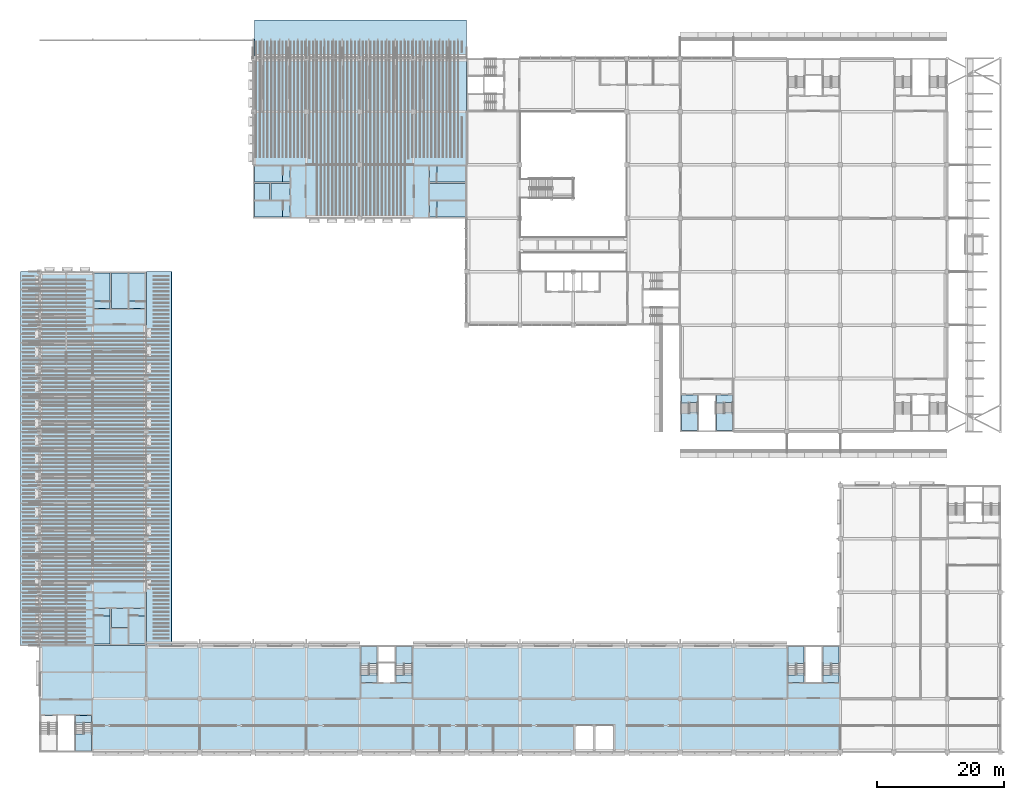
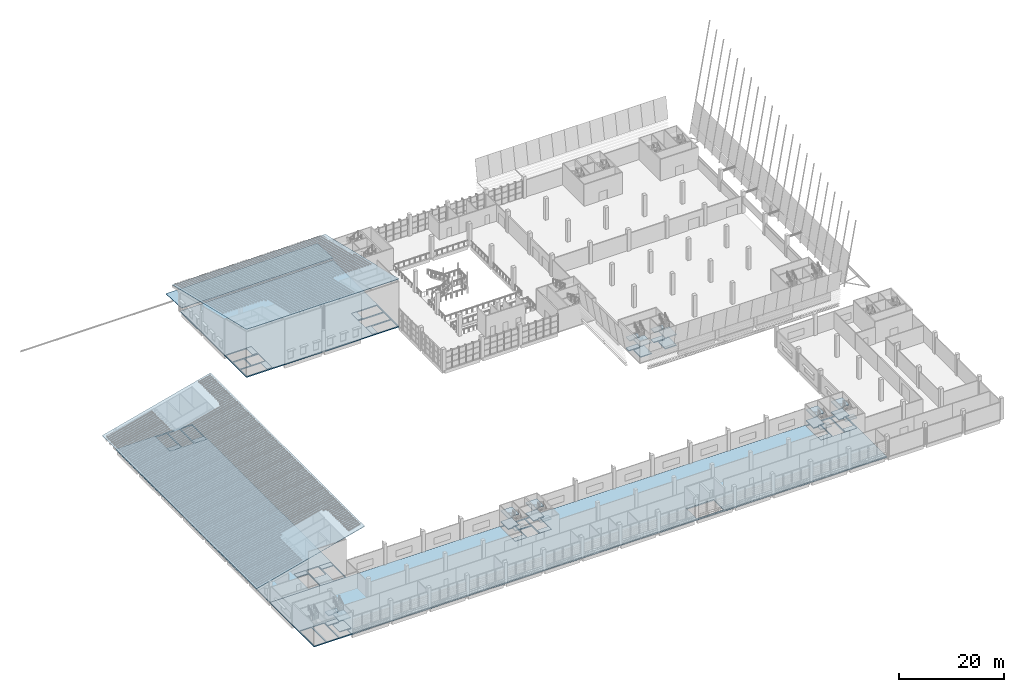
# One storey, part 12 of 82: 42 slabs, 7 elements without a shape of their own.
"""IFC4 building model written with IfcOpenShell, lengths in metres."""

from ifc_helpers import new_model, si_unit, direction, frame, origin, place, context, subcontext, project, spatial, polyline, outline, extrude, material, layer, layer_set, type_object, element, aggregate, save


model = new_model("IFC4")

# Units and contexts
model_context = context("Model", 3, precision=1e-05, world=origin(), true_north=direction((0.0, 1.0)))
body_context = subcontext(model_context, "Body", "Model", "MODEL_VIEW")
ifc_project = project(units=[si_unit("LENGTHUNIT", "METRE"), si_unit("AREAUNIT", "SQUARE_METRE"), si_unit("VOLUMEUNIT", "CUBIC_METRE"), si_unit("PLANEANGLEUNIT", "RADIAN"), si_unit("MASSUNIT", "GRAM", prefix="KILO")], contexts=[model_context])

# Site, building, storey
site_placement = place(None, origin())
site = spatial("IfcSite", under=ifc_project, at=site_placement, CompositionType="ELEMENT")
building_placement = place(site_placement, origin())
building = spatial("IfcBuilding", under=site, at=building_placement, Name="Almond Square Museum", CompositionType="ELEMENT")
storey_placement = place(building_placement, frame((0.0, 0.0, 20.0)))
storey = spatial("IfcBuildingStorey", under=building, at=storey_placement, Name="L03", CompositionType="ELEMENT", Elevation=20.0)

# Stair, slabs
ifc_material_1 = material(Name="Concrete C40/50", Category="concrete")
stair_type = type_object("IfcStairType", Name="Exit stair 28 risers of 179 mm", PredefinedType="HALF_TURN_STAIR", material=ifc_material_1)
stair_1_placement = place(storey_placement, origin())
stair_1 = element("IfcStair", 1, at=stair_1_placement, inside=storey, type_object=stair_type, Name="L03 stair H1-1", PredefinedType="HALF_TURN_STAIR")
ifc_material_2 = material(Name="Concrete C40/50", Category="concrete")
ifc_layer_1 = layer(ifc_material_2, 0.199951171875)
ifc_layer_set_1 = layer_set([ifc_layer_1], Name="Concrete C40/50")
slab_type_1 = type_object("IfcSlabType", Name="Concrete stair landing 200", PredefinedType="LANDING", material=ifc_layer_set_1)
slab_1_placement = place(storey_placement, frame((0.0, 0.0, 1.050048828125)))
slab_1 = element("IfcSlab", 2, at=slab_1_placement, type_object=slab_type_1, Name="ST-01 landing 1", PredefinedType="LANDING", context=body_context, shape_type="SweptSolid", body=[
    extrude(outline(polyline([(107.0, 53.2529296875), (107.0, 50.60009765625), (109.5, 50.60009765625), (109.5, 53.550048828125), (108.35009765625, 53.550048828125), (108.35009765625, 53.2529296875), (107.0, 53.2529296875)])), origin(), (0.0, 0.0, 1.0), 0.199951171875),
])
slab_2_placement = place(storey_placement, frame((0.0, 0.0, 2.300048828125)))
slab_2 = element("IfcSlab", 3, at=slab_2_placement, type_object=slab_type_1, Name="ST-01 landing 2", PredefinedType="LANDING", context=body_context, shape_type="SweptSolid", body=[
    extrude(outline(polyline([(107.0, 56.199951171875), (107.0, 55.050048828125), (107.0, 54.75), (108.14990234375, 54.75), (108.14990234375, 55.047119140625), (109.5, 55.047119140625), (109.5, 56.199951171875), (107.0, 56.199951171875)])), origin(), (0.0, 0.0, 1.0), 0.199951171875),
])
slab_3_placement = place(storey_placement, frame((0.0, 0.0, 3.550048828125)))
slab_3 = element("IfcSlab", 4, at=slab_3_placement, type_object=slab_type_1, Name="ST-01 landing 3", PredefinedType="LANDING", context=body_context, shape_type="SweptSolid", body=[
    extrude(outline(polyline([(107.0, 53.2529296875), (107.0, 50.60009765625), (109.5, 50.60009765625), (109.5, 53.550048828125), (108.35009765625, 53.550048828125), (108.35009765625, 53.2529296875), (107.0, 53.2529296875)])), origin(), (0.0, 0.0, 1.0), 0.199951171875),
])
aggregate(stair_1, [slab_1, slab_2, slab_3])

stair_2_placement = place(storey_placement, origin())
stair_2 = element("IfcStair", 5, at=stair_2_placement, inside=storey, type_object=stair_type, Name="L03 stair H1-2", PredefinedType="HALF_TURN_STAIR")
slab_4_placement = place(storey_placement, frame((0.0, 0.0, 1.050048828125)))
slab_4 = element("IfcSlab", 6, at=slab_4_placement, type_object=slab_type_1, Name="ST-02 landing 1", PredefinedType="LANDING", context=body_context, shape_type="SweptSolid", body=[
    extrude(outline(polyline([(112.5, 53.2529296875), (112.5, 50.60009765625), (115.0, 50.60009765625), (115.0, 53.550048828125), (113.85009765625, 53.550048828125), (113.85009765625, 53.2529296875), (112.5, 53.2529296875)])), origin(), (0.0, 0.0, 1.0), 0.199951171875),
])
slab_5_placement = place(storey_placement, frame((0.0, 0.0, 2.300048828125)))
slab_5 = element("IfcSlab", 7, at=slab_5_placement, type_object=slab_type_1, Name="ST-02 landing 2", PredefinedType="LANDING", context=body_context, shape_type="SweptSolid", body=[
    extrude(outline(polyline([(112.5, 56.199951171875), (112.5, 55.050048828125), (112.5, 54.75), (113.64990234375, 54.75), (113.64990234375, 55.047119140625), (115.0, 55.047119140625), (115.0, 56.199951171875), (112.5, 56.199951171875)])), origin(), (0.0, 0.0, 1.0), 0.199951171875),
])
slab_6_placement = place(storey_placement, frame((0.0, 0.0, 3.550048828125)))
slab_6 = element("IfcSlab", 8, at=slab_6_placement, type_object=slab_type_1, Name="ST-02 landing 3", PredefinedType="LANDING", context=body_context, shape_type="SweptSolid", body=[
    extrude(outline(polyline([(112.5, 53.2529296875), (112.5, 50.60009765625), (115.0, 50.60009765625), (115.0, 53.550048828125), (113.85009765625, 53.550048828125), (113.85009765625, 53.2529296875), (112.5, 53.2529296875)])), origin(), (0.0, 0.0, 1.0), 0.199951171875),
])
aggregate(stair_2, [slab_4, slab_5, slab_6])

stair_3_placement = place(storey_placement, origin())
stair_3 = element("IfcStair", 9, at=stair_3_placement, inside=storey, type_object=stair_type, Name="L03 stair S1-2", PredefinedType="HALF_TURN_STAIR")
slab_7_placement = place(storey_placement, frame((0.0, 0.0, 1.050048828125)))
slab_7 = element("IfcSlab", 10, at=slab_7_placement, type_object=slab_type_1, Name="ST-28 landing 1", PredefinedType="LANDING", context=body_context, shape_type="SweptSolid", body=[
    extrude(outline(polyline([(11.699951171875, 2.85302734375), (11.699951171875, 0.199951171875), (14.199951171875, 0.199951171875), (14.199951171875, 3.14990234375), (13.050048828125, 3.14990234375), (13.050048828125, 2.85302734375), (11.699951171875, 2.85302734375)])), origin(), (0.0, 0.0, 1.0), 0.199951171875),
])
slab_8_placement = place(storey_placement, frame((0.0, 0.0, 2.300048828125)))
slab_8 = element("IfcSlab", 11, at=slab_8_placement, type_object=slab_type_1, Name="ST-28 landing 2", PredefinedType="LANDING", context=body_context, shape_type="SweptSolid", body=[
    extrude(outline(polyline([(11.699951171875, 5.800048828125), (11.699951171875, 4.64990234375), (11.699951171875, 4.35009765625), (12.85009765625, 4.35009765625), (12.85009765625, 4.64697265625), (14.199951171875, 4.64697265625), (14.199951171875, 5.800048828125), (11.699951171875, 5.800048828125)])), origin(), (0.0, 0.0, 1.0), 0.199951171875),
])
slab_9_placement = place(storey_placement, frame((0.0, 0.0, 3.550048828125)))
slab_9 = element("IfcSlab", 12, at=slab_9_placement, type_object=slab_type_1, Name="ST-28 landing 3", PredefinedType="LANDING", context=body_context, shape_type="SweptSolid", body=[
    extrude(outline(polyline([(11.699951171875, 2.85302734375), (11.699951171875, 0.199951171875), (14.199951171875, 0.199951171875), (14.199951171875, 3.14990234375), (13.050048828125, 3.14990234375), (13.050048828125, 2.85302734375), (11.699951171875, 2.85302734375)])), origin(), (0.0, 0.0, 1.0), 0.199951171875),
])
aggregate(stair_3, [slab_7, slab_8, slab_9])

stair_4_placement = place(storey_placement, origin())
stair_4 = element("IfcStair", 13, at=stair_4_placement, inside=storey, type_object=stair_type, Name="L03 stair S2-1", PredefinedType="HALF_TURN_STAIR")
slab_10_placement = place(storey_placement, frame((0.0, 0.0, 1.050048828125)))
slab_10 = element("IfcSlab", 14, at=slab_10_placement, type_object=slab_type_1, Name="ST-29 landing 1", PredefinedType="LANDING", context=body_context, shape_type="SweptSolid", body=[
    extrude(outline(polyline([(59.10009765625, 13.947021484375), (59.10009765625, 16.60009765625), (56.60009765625, 16.60009765625), (56.60009765625, 13.64990234375), (57.75, 13.64990234375), (57.75, 13.947021484375), (59.10009765625, 13.947021484375)])), origin(), (0.0, 0.0, 1.0), 0.199951171875),
])
slab_11_placement = place(storey_placement, frame((0.0, 0.0, 2.300048828125)))
slab_11 = element("IfcSlab", 15, at=slab_11_placement, type_object=slab_type_1, Name="ST-29 landing 2", PredefinedType="LANDING", context=body_context, shape_type="SweptSolid", body=[
    extrude(outline(polyline([(59.10009765625, 11.0), (59.10009765625, 12.14990234375), (59.10009765625, 12.449951171875), (57.949951171875, 12.449951171875), (57.949951171875, 12.153076171875), (56.60009765625, 12.153076171875), (56.60009765625, 11.0), (59.10009765625, 11.0)])), origin(), (0.0, 0.0, 1.0), 0.199951171875),
])
slab_12_placement = place(storey_placement, frame((0.0, 0.0, 3.550048828125)))
slab_12 = element("IfcSlab", 16, at=slab_12_placement, type_object=slab_type_1, Name="ST-29 landing 3", PredefinedType="LANDING", context=body_context, shape_type="SweptSolid", body=[
    extrude(outline(polyline([(59.10009765625, 13.947021484375), (59.10009765625, 16.60009765625), (56.60009765625, 16.60009765625), (56.60009765625, 13.64990234375), (57.75, 13.64990234375), (57.75, 13.947021484375), (59.10009765625, 13.947021484375)])), origin(), (0.0, 0.0, 1.0), 0.199951171875),
])
aggregate(stair_4, [slab_10, slab_11, slab_12])

stair_5_placement = place(storey_placement, origin())
stair_5 = element("IfcStair", 17, at=stair_5_placement, inside=storey, type_object=stair_type, Name="L03 stair S2-2", PredefinedType="HALF_TURN_STAIR")
slab_13_placement = place(storey_placement, frame((0.0, 0.0, 1.050048828125)))
slab_13 = element("IfcSlab", 18, at=slab_13_placement, type_object=slab_type_1, Name="ST-30 landing 1", PredefinedType="LANDING", context=body_context, shape_type="SweptSolid", body=[
    extrude(outline(polyline([(64.60009765625, 13.947021484375), (64.60009765625, 16.60009765625), (62.10009765625, 16.60009765625), (62.10009765625, 13.64990234375), (63.25, 13.64990234375), (63.25, 13.947021484375), (64.60009765625, 13.947021484375)])), origin(), (0.0, 0.0, 1.0), 0.199951171875),
])
slab_14_placement = place(storey_placement, frame((0.0, 0.0, 2.300048828125)))
slab_14 = element("IfcSlab", 19, at=slab_14_placement, type_object=slab_type_1, Name="ST-30 landing 2", PredefinedType="LANDING", context=body_context, shape_type="SweptSolid", body=[
    extrude(outline(polyline([(64.60009765625, 11.0), (64.60009765625, 12.14990234375), (64.60009765625, 12.449951171875), (63.449951171875, 12.449951171875), (63.449951171875, 12.153076171875), (62.10009765625, 12.153076171875), (62.10009765625, 11.0), (64.60009765625, 11.0)])), origin(), (0.0, 0.0, 1.0), 0.199951171875),
])
slab_15_placement = place(storey_placement, frame((0.0, 0.0, 3.550048828125)))
slab_15 = element("IfcSlab", 20, at=slab_15_placement, type_object=slab_type_1, Name="ST-30 landing 3", PredefinedType="LANDING", context=body_context, shape_type="SweptSolid", body=[
    extrude(outline(polyline([(64.60009765625, 13.947021484375), (64.60009765625, 16.60009765625), (62.10009765625, 16.60009765625), (62.10009765625, 13.64990234375), (63.25, 13.64990234375), (63.25, 13.947021484375), (64.60009765625, 13.947021484375)])), origin(), (0.0, 0.0, 1.0), 0.199951171875),
])
aggregate(stair_5, [slab_13, slab_14, slab_15])

stair_6_placement = place(storey_placement, origin())
stair_6 = element("IfcStair", 21, at=stair_6_placement, inside=storey, type_object=stair_type, Name="L03 stair S3-1", PredefinedType="HALF_TURN_STAIR")
slab_16_placement = place(storey_placement, frame((0.0, 0.0, 1.050048828125)))
slab_16 = element("IfcSlab", 22, at=slab_16_placement, type_object=slab_type_1, Name="ST-31 landing 1", PredefinedType="LANDING", context=body_context, shape_type="SweptSolid", body=[
    extrude(outline(polyline([(126.300048828125, 13.947021484375), (126.300048828125, 16.60009765625), (123.800048828125, 16.60009765625), (123.800048828125, 13.64990234375), (124.949951171875, 13.64990234375), (124.949951171875, 13.947021484375), (126.300048828125, 13.947021484375)])), origin(), (0.0, 0.0, 1.0), 0.199951171875),
])
slab_17_placement = place(storey_placement, frame((0.0, 0.0, 2.300048828125)))
slab_17 = element("IfcSlab", 23, at=slab_17_placement, type_object=slab_type_1, Name="ST-31 landing 2", PredefinedType="LANDING", context=body_context, shape_type="SweptSolid", body=[
    extrude(outline(polyline([(126.300048828125, 11.0), (126.300048828125, 12.14990234375), (126.300048828125, 12.449951171875), (125.14990234375, 12.449951171875), (125.14990234375, 12.153076171875), (123.800048828125, 12.153076171875), (123.800048828125, 11.0), (126.300048828125, 11.0)])), origin(), (0.0, 0.0, 1.0), 0.199951171875),
])
slab_18_placement = place(storey_placement, frame((0.0, 0.0, 3.550048828125)))
slab_18 = element("IfcSlab", 24, at=slab_18_placement, type_object=slab_type_1, Name="ST-31 landing 3", PredefinedType="LANDING", context=body_context, shape_type="SweptSolid", body=[
    extrude(outline(polyline([(126.300048828125, 13.947021484375), (126.300048828125, 16.60009765625), (123.800048828125, 16.60009765625), (123.800048828125, 13.64990234375), (124.949951171875, 13.64990234375), (124.949951171875, 13.947021484375), (126.300048828125, 13.947021484375)])), origin(), (0.0, 0.0, 1.0), 0.199951171875),
])
aggregate(stair_6, [slab_16, slab_17, slab_18])

stair_7_placement = place(storey_placement, origin())
stair_7 = element("IfcStair", 25, at=stair_7_placement, inside=storey, type_object=stair_type, Name="L03 stair S3-2", PredefinedType="HALF_TURN_STAIR")
slab_19_placement = place(storey_placement, frame((0.0, 0.0, 1.050048828125)))
slab_19 = element("IfcSlab", 26, at=slab_19_placement, type_object=slab_type_1, Name="ST-32 landing 1", PredefinedType="LANDING", context=body_context, shape_type="SweptSolid", body=[
    extrude(outline(polyline([(131.800048828125, 13.947021484375), (131.800048828125, 16.60009765625), (129.300048828125, 16.60009765625), (129.300048828125, 13.64990234375), (130.449951171875, 13.64990234375), (130.449951171875, 13.947021484375), (131.800048828125, 13.947021484375)])), origin(), (0.0, 0.0, 1.0), 0.199951171875),
])
slab_20_placement = place(storey_placement, frame((0.0, 0.0, 2.300048828125)))
slab_20 = element("IfcSlab", 27, at=slab_20_placement, type_object=slab_type_1, Name="ST-32 landing 2", PredefinedType="LANDING", context=body_context, shape_type="SweptSolid", body=[
    extrude(outline(polyline([(131.800048828125, 11.0), (131.800048828125, 12.14990234375), (131.800048828125, 12.449951171875), (130.64990234375, 12.449951171875), (130.64990234375, 12.153076171875), (129.300048828125, 12.153076171875), (129.300048828125, 11.0), (131.800048828125, 11.0)])), origin(), (0.0, 0.0, 1.0), 0.199951171875),
])
slab_21_placement = place(storey_placement, frame((0.0, 0.0, 3.550048828125)))
slab_21 = element("IfcSlab", 28, at=slab_21_placement, type_object=slab_type_1, Name="ST-32 landing 3", PredefinedType="LANDING", context=body_context, shape_type="SweptSolid", body=[
    extrude(outline(polyline([(131.800048828125, 13.947021484375), (131.800048828125, 16.60009765625), (129.300048828125, 16.60009765625), (129.300048828125, 13.64990234375), (130.449951171875, 13.64990234375), (130.449951171875, 13.947021484375), (131.800048828125, 13.947021484375)])), origin(), (0.0, 0.0, 1.0), 0.199951171875),
])
aggregate(stair_7, [slab_19, slab_20, slab_21])

# Slabs
slab_22_placement = place(storey_placement, frame((0.0, 0.0, -0.199951171875)))
element("IfcSlab", 29, at=slab_22_placement, inside=storey, type_object=slab_type_1, Name="L03 stair H1-1 floor landing", PredefinedType="LANDING", context=body_context, shape_type="SweptSolid", body=[
    extrude(outline(polyline([(107.0, 55.047119140625), (109.5, 55.047119140625), (109.5, 56.199951171875), (107.0, 56.199951171875), (107.0, 55.047119140625)])), origin(), (0.0, 0.0, 1.0), 0.199951171875),
])
slab_23_placement = place(storey_placement, frame((0.0, 0.0, -0.199951171875)))
element("IfcSlab", 30, at=slab_23_placement, inside=storey, type_object=slab_type_1, Name="L03 stair H1-2 floor landing", PredefinedType="LANDING", context=body_context, shape_type="SweptSolid", body=[
    extrude(outline(polyline([(112.5, 55.047119140625), (115.0, 55.047119140625), (115.0, 56.199951171875), (112.5, 56.199951171875), (112.5, 55.047119140625)])), origin(), (0.0, 0.0, 1.0), 0.199951171875),
])
slab_24_placement = place(storey_placement, frame((0.0, 0.0, -0.199951171875)))
element("IfcSlab", 31, at=slab_24_placement, inside=storey, type_object=slab_type_1, Name="L03 stair N1-1 floor landing", PredefinedType="LANDING", context=body_context, shape_type="SweptSolid", body=[
    extrude(outline(polyline([(44.2470703125, 84.199951171875), (45.39990234375, 84.199951171875), (45.39990234375, 86.699951171875), (44.2470703125, 86.699951171875), (44.2470703125, 84.199951171875)])), origin(), (0.0, 0.0, 1.0), 0.199951171875),
])
slab_25_placement = place(storey_placement, frame((0.0, 0.0, -0.199951171875)))
element("IfcSlab", 32, at=slab_25_placement, inside=storey, type_object=slab_type_1, Name="L03 stair N1-2 floor landing", PredefinedType="LANDING", context=body_context, shape_type="SweptSolid", body=[
    extrude(outline(polyline([(44.2470703125, 89.699951171875), (45.39990234375, 89.699951171875), (45.39990234375, 92.199951171875), (44.2470703125, 92.199951171875), (44.2470703125, 89.699951171875)])), origin(), (0.0, 0.0, 1.0), 0.199951171875),
])
slab_26_placement = place(storey_placement, frame((0.0, 0.0, -0.199951171875)))
element("IfcSlab", 33, at=slab_26_placement, inside=storey, type_object=slab_type_1, Name="L03 stair N2-1 floor landing", PredefinedType="LANDING", context=body_context, shape_type="SweptSolid", body=[
    extrude(outline(polyline([(67.39990234375, 84.199951171875), (68.552978515625, 84.199951171875), (68.552978515625, 86.699951171875), (67.39990234375, 86.699951171875), (67.39990234375, 84.199951171875)])), origin(), (0.0, 0.0, 1.0), 0.199951171875),
])
slab_27_placement = place(storey_placement, frame((0.0, 0.0, -0.199951171875)))
element("IfcSlab", 34, at=slab_27_placement, inside=storey, type_object=slab_type_1, Name="L03 stair N2-2 floor landing", PredefinedType="LANDING", context=body_context, shape_type="SweptSolid", body=[
    extrude(outline(polyline([(67.39990234375, 89.699951171875), (68.552978515625, 89.699951171875), (68.552978515625, 92.199951171875), (67.39990234375, 92.199951171875), (67.39990234375, 89.699951171875)])), origin(), (0.0, 0.0, 1.0), 0.199951171875),
])
slab_28_placement = place(storey_placement, frame((0.0, 0.0, -0.199951171875)))
element("IfcSlab", 35, at=slab_28_placement, inside=storey, type_object=slab_type_1, Name="L03 stair W1-1 floor landing", PredefinedType="LANDING", context=body_context, shape_type="SweptSolid", body=[
    extrude(outline(polyline([(14.60009765625, 21.447021484375), (17.10009765625, 21.447021484375), (17.10009765625, 22.60009765625), (14.60009765625, 22.60009765625), (14.60009765625, 21.447021484375)])), origin(), (0.0, 0.0, 1.0), 0.199951171875),
])
slab_29_placement = place(storey_placement, frame((0.0, 0.0, -0.199951171875)))
element("IfcSlab", 36, at=slab_29_placement, inside=storey, type_object=slab_type_1, Name="L03 stair W1-2 floor landing", PredefinedType="LANDING", context=body_context, shape_type="SweptSolid", body=[
    extrude(outline(polyline([(20.10009765625, 21.447021484375), (22.60009765625, 21.447021484375), (22.60009765625, 22.60009765625), (20.10009765625, 22.60009765625), (20.10009765625, 21.447021484375)])), origin(), (0.0, 0.0, 1.0), 0.199951171875),
])
slab_30_placement = place(storey_placement, frame((0.0, 0.0, -0.199951171875)))
element("IfcSlab", 37, at=slab_30_placement, inside=storey, type_object=slab_type_1, Name="L03 stair W2-1 floor landing", PredefinedType="LANDING", context=body_context, shape_type="SweptSolid", body=[
    extrude(outline(polyline([(14.60009765625, 69.800048828125), (17.10009765625, 69.800048828125), (17.10009765625, 70.952880859375), (14.60009765625, 70.952880859375), (14.60009765625, 69.800048828125)])), origin(), (0.0, 0.0, 1.0), 0.199951171875),
])
slab_31_placement = place(storey_placement, frame((0.0, 0.0, -0.199951171875)))
element("IfcSlab", 38, at=slab_31_placement, inside=storey, type_object=slab_type_1, Name="L03 stair W2-2 floor landing", PredefinedType="LANDING", context=body_context, shape_type="SweptSolid", body=[
    extrude(outline(polyline([(20.10009765625, 69.800048828125), (22.60009765625, 69.800048828125), (22.60009765625, 70.952880859375), (20.10009765625, 70.952880859375), (20.10009765625, 69.800048828125)])), origin(), (0.0, 0.0, 1.0), 0.199951171875),
])
slab_32_placement = place(storey_placement, frame((0.0, 0.0, -0.199951171875)))
element("IfcSlab", 39, at=slab_32_placement, inside=storey, type_object=slab_type_1, Name="L03 stair S1-2 floor landing", PredefinedType="LANDING", context=body_context, shape_type="SweptSolid", body=[
    extrude(outline(polyline([(11.699951171875, 4.64697265625), (14.199951171875, 4.64697265625), (14.199951171875, 5.800048828125), (11.699951171875, 5.800048828125), (11.699951171875, 4.64697265625)])), origin(), (0.0, 0.0, 1.0), 0.199951171875),
])
slab_33_placement = place(storey_placement, frame((0.0, 0.0, -0.199951171875)))
element("IfcSlab", 40, at=slab_33_placement, inside=storey, type_object=slab_type_1, Name="L03 stair S2-1 floor landing", PredefinedType="LANDING", context=body_context, shape_type="SweptSolid", body=[
    extrude(outline(polyline([(56.60009765625, 11.0), (59.10009765625, 11.0), (59.10009765625, 12.153076171875), (56.60009765625, 12.153076171875), (56.60009765625, 11.0)])), origin(), (0.0, 0.0, 1.0), 0.199951171875),
])
slab_34_placement = place(storey_placement, frame((0.0, 0.0, -0.199951171875)))
element("IfcSlab", 41, at=slab_34_placement, inside=storey, type_object=slab_type_1, Name="L03 stair S2-2 floor landing", PredefinedType="LANDING", context=body_context, shape_type="SweptSolid", body=[
    extrude(outline(polyline([(62.10009765625, 11.0), (64.60009765625, 11.0), (64.60009765625, 12.153076171875), (62.10009765625, 12.153076171875), (62.10009765625, 11.0)])), origin(), (0.0, 0.0, 1.0), 0.199951171875),
])
slab_35_placement = place(storey_placement, frame((0.0, 0.0, -0.199951171875)))
element("IfcSlab", 42, at=slab_35_placement, inside=storey, type_object=slab_type_1, Name="L03 stair S3-1 floor landing", PredefinedType="LANDING", context=body_context, shape_type="SweptSolid", body=[
    extrude(outline(polyline([(123.800048828125, 11.0), (126.300048828125, 11.0), (126.300048828125, 12.153076171875), (123.800048828125, 12.153076171875), (123.800048828125, 11.0)])), origin(), (0.0, 0.0, 1.0), 0.199951171875),
])
slab_36_placement = place(storey_placement, frame((0.0, 0.0, -0.199951171875)))
element("IfcSlab", 43, at=slab_36_placement, inside=storey, type_object=slab_type_1, Name="L03 stair S3-2 floor landing", PredefinedType="LANDING", context=body_context, shape_type="SweptSolid", body=[
    extrude(outline(polyline([(129.300048828125, 11.0), (131.800048828125, 11.0), (131.800048828125, 12.153076171875), (129.300048828125, 12.153076171875), (129.300048828125, 11.0)])), origin(), (0.0, 0.0, 1.0), 0.199951171875),
])
ifc_material_3 = material(Name="Concrete C40/50", Category="concrete")
ifc_layer_2 = layer(ifc_material_3, 0.25)
ifc_layer_set_2 = layer_set([ifc_layer_2], Name="Concrete C40/50")
slab_type_2 = type_object("IfcSlabType", Name="RC floor slab 250 C40/50", PredefinedType="FLOOR", material=ifc_layer_set_2)
slab_37_placement = place(storey_placement, frame((0.0, 0.0, -0.25)))
element("IfcSlab", 44, at=slab_37_placement, inside=storey, type_object=slab_type_2, Name="Floor slab L03 V4N", PredefinedType="FLOOR", context=body_context, shape_type="SweptSolid", body=[
    extrude(outline(polyline([(73.199951171875, 109.199951171875), (73.199951171875, 84.0), (39.60009765625, 84.0), (39.60009765625, 109.199951171875), (73.199951171875, 109.199951171875)]), holes=[polyline([(45.39990234375, 84.199951171875), (45.39990234375, 86.699951171875), (39.800048828125, 86.699951171875), (39.800048828125, 84.199951171875), (45.39990234375, 84.199951171875)]), polyline([(39.800048828125, 86.89990234375), (42.199951171875, 86.89990234375), (42.199951171875, 89.5), (39.800048828125, 89.5), (39.800048828125, 86.89990234375)]), polyline([(42.39990234375, 86.89990234375), (45.39990234375, 86.89990234375), (45.39990234375, 89.5), (42.39990234375, 89.5), (42.39990234375, 86.89990234375)]), polyline([(45.39990234375, 89.699951171875), (45.39990234375, 92.199951171875), (39.800048828125, 92.199951171875), (39.800048828125, 89.699951171875), (45.39990234375, 89.699951171875)]), polyline([(67.39990234375, 84.199951171875), (73.0, 84.199951171875), (73.0, 86.699951171875), (67.39990234375, 86.699951171875), (67.39990234375, 84.199951171875)]), polyline([(67.39990234375, 86.89990234375), (73.0, 86.89990234375), (73.0, 89.5), (67.39990234375, 89.5), (67.39990234375, 86.89990234375)]), polyline([(73.0, 89.699951171875), (73.0, 92.199951171875), (67.39990234375, 92.199951171875), (67.39990234375, 89.699951171875), (73.0, 89.699951171875)])]), origin(), (0.0, 0.0, 1.0), 0.25),
])
slab_38_placement = place(storey_placement, frame((0.0, 0.0, -0.25)))
element("IfcSlab", 45, at=slab_38_placement, inside=storey, type_object=slab_type_2, Name="Floor slab L03 V4W", PredefinedType="FLOOR", context=body_context, shape_type="SweptSolid", body=[
    extrude(outline(polyline([(22.800048828125, 75.60009765625), (22.800048828125, 16.800048828125), (6.0, 16.800048828125), (6.0, 75.60009765625), (22.800048828125, 75.60009765625)]), holes=[polyline([(17.10009765625, 17.0), (17.10009765625, 22.60009765625), (14.60009765625, 22.60009765625), (14.60009765625, 17.0), (17.10009765625, 17.0)]), polyline([(20.10009765625, 17.0), (22.60009765625, 17.0), (22.60009765625, 22.60009765625), (20.10009765625, 22.60009765625), (20.10009765625, 17.0)]), polyline([(17.300048828125, 19.60009765625), (19.89990234375, 19.60009765625), (19.89990234375, 22.60009765625), (17.300048828125, 22.60009765625), (17.300048828125, 19.60009765625)]), polyline([(17.10009765625, 69.800048828125), (17.10009765625, 75.39990234375), (14.60009765625, 75.39990234375), (14.60009765625, 69.800048828125), (17.10009765625, 69.800048828125)]), polyline([(17.300048828125, 69.800048828125), (19.89990234375, 69.800048828125), (19.89990234375, 75.39990234375), (17.300048828125, 75.39990234375), (17.300048828125, 69.800048828125)]), polyline([(20.10009765625, 69.800048828125), (22.60009765625, 69.800048828125), (22.60009765625, 75.39990234375), (20.10009765625, 75.39990234375), (20.10009765625, 69.800048828125)])]), origin(), (0.0, 0.0, 1.0), 0.25),
])
slab_39_placement = place(storey_placement, frame((0.0, 0.0, -0.25)))
element("IfcSlab", 46, at=slab_39_placement, inside=storey, type_object=slab_type_2, Name="Floor slab L03 V5S", PredefinedType="FLOOR", context=body_context, shape_type="SweptSolid", body=[
    extrude(outline(polyline([(22.800048828125, 16.800048828125), (132.0, 16.800048828125), (132.0, 0.0), (6.0, 0.0), (6.0, 16.800048828125), (22.800048828125, 16.800048828125)]), holes=[polyline([(8.699951171875, 0.199951171875), (8.699951171875, 5.800048828125), (6.199951171875, 5.800048828125), (6.199951171875, 0.199951171875), (8.699951171875, 0.199951171875)]), polyline([(8.89990234375, 0.199951171875), (11.5, 0.199951171875), (11.5, 5.800048828125), (8.89990234375, 5.800048828125), (8.89990234375, 0.199951171875)]), polyline([(11.699951171875, 0.199951171875), (14.199951171875, 0.199951171875), (14.199951171875, 5.800048828125), (11.699951171875, 5.800048828125), (11.699951171875, 0.199951171875)]), polyline([(61.89990234375, 11.0), (61.89990234375, 14.0), (59.300048828125, 14.0), (59.300048828125, 11.0), (61.89990234375, 11.0)]), polyline([(56.60009765625, 11.0), (59.10009765625, 11.0), (59.10009765625, 16.60009765625), (56.60009765625, 16.60009765625), (56.60009765625, 11.0)]), polyline([(59.300048828125, 14.199951171875), (61.89990234375, 14.199951171875), (61.89990234375, 16.60009765625), (59.300048828125, 16.60009765625), (59.300048828125, 14.199951171875)]), polyline([(90.300048828125, 0.300048828125), (96.300048828125, 0.300048828125), (96.300048828125, 4.10009765625), (90.300048828125, 4.10009765625), (90.300048828125, 0.300048828125)]), polyline([(62.10009765625, 11.0), (64.60009765625, 11.0), (64.60009765625, 16.60009765625), (62.10009765625, 16.60009765625), (62.10009765625, 11.0)]), polyline([(123.800048828125, 11.0), (126.300048828125, 11.0), (126.300048828125, 16.60009765625), (123.800048828125, 16.60009765625), (123.800048828125, 11.0)]), polyline([(129.10009765625, 11.0), (129.10009765625, 16.60009765625), (126.5, 16.60009765625), (126.5, 11.0), (129.10009765625, 11.0)]), polyline([(129.300048828125, 11.0), (131.800048828125, 11.0), (131.800048828125, 16.60009765625), (129.300048828125, 16.60009765625), (129.300048828125, 11.0)])]), origin(), (0.0, 0.0, 1.0), 0.25),
])
ifc_material_4 = material(Name="Timber deck and membrane roofing", Category="wood")
ifc_layer_3 = layer(ifc_material_4, 0.10009765625)
ifc_layer_set_3 = layer_set([ifc_layer_3], Name="Timber deck and membrane roofing")
slab_type_3 = type_object("IfcSlabType", Name="Timber deck and membrane roof 100", PredefinedType="ROOF", material=ifc_layer_set_3)
slab_40_placement = place(storey_placement, frame((39.60009765625, 84.0, 11.0), z_axis=(0.0, 0.231623184046, 0.972805582124), x_axis=(1.0, 0.0, 0.0)))
element("IfcSlab", 47, at=slab_40_placement, inside=storey, type_object=slab_type_3, Name="Roof covering RF-V4N", PredefinedType="ROOF", context=body_context, shape_type="SweptSolid", body=[
    extrude(outline(polyline([(0.0, 0.0), (33.599853515625, 0.0), (33.599853515625, 28.98827030812406), (0.0, 28.98827030812406), (0.0, 0.0)])), origin(), (0.0, 0.0, -1.0), 0.10009765625),
])
slab_41_placement = place(storey_placement, frame((39.853515625, 109.199951171875, 0.60009765625), z_axis=(0.0, 0.049945724537, 0.998751933465), x_axis=(1.0, 0.0, 0.0)))
element("IfcSlab", 48, at=slab_41_placement, inside=storey, type_object=slab_type_3, Name="Roof covering RF-V4N cantilever box", PredefinedType="ROOF", context=body_context, shape_type="SweptSolid", body=[
    extrude(outline(polyline([(0.0, 0.0), (33.346435546875, 0.0), (33.346435546875, 6.007497756908378), (0.0, 6.007497756908378), (0.0, 0.0)])), origin(), (0.0, 0.0, -1.0), 0.10009765625),
])
slab_42_placement = place(storey_placement, frame((3.0, 16.800048828125, 4.21435546875), z_axis=(-0.253352095432, 0.0, 0.967374134314), x_axis=(0.967374134314, 0.0, 0.253352095432)))
element("IfcSlab", 49, at=slab_42_placement, inside=storey, type_object=slab_type_3, Name="Roof covering RF-V4W", PredefinedType="ROOF", context=body_context, shape_type="SweptSolid", body=[
    extrude(outline(polyline([(0.0, 0.0), (24.60273433400819, 0.0), (24.60273433400819, 58.800048828125), (0.0, 58.800048828125), (0.0, 0.0)])), origin(), (0.0, 0.0, -1.0), 0.10009765625),
])

save(model, "model.ifc")
